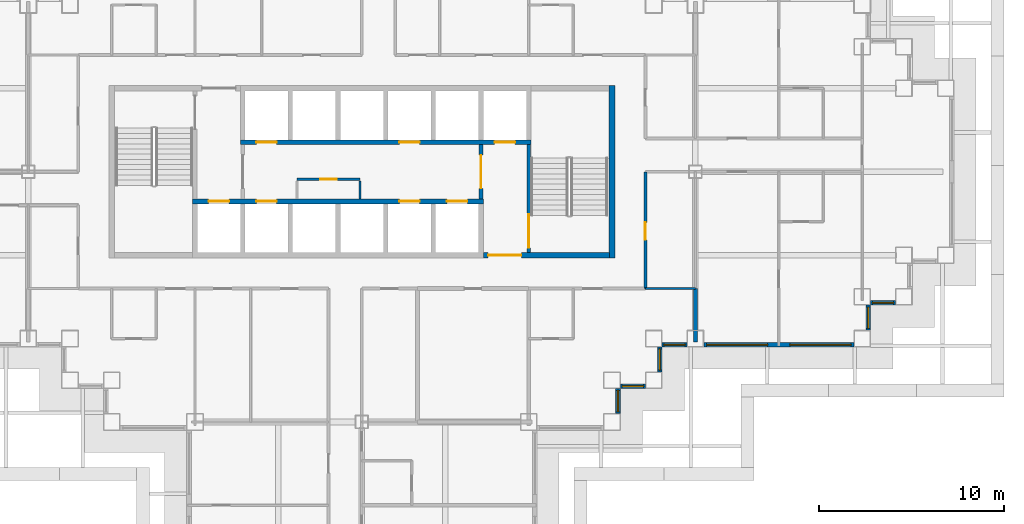
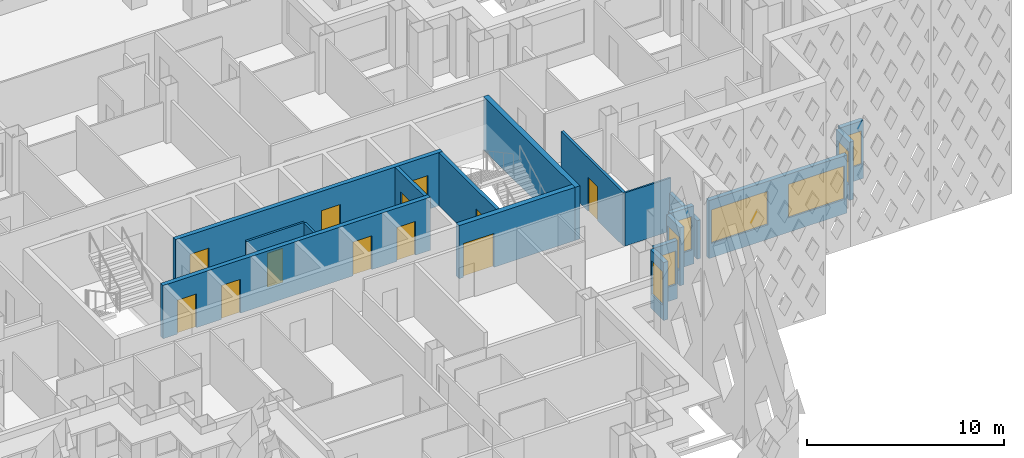
# One storey, part 5 of 21: 18 walls, 12 doors, 8 windows, 20 openings.
"""IFC4 building model written with IfcOpenShell, lengths in metres."""

from ifc_helpers import new_model, si_unit, direction, frame, frame_2d, origin, place, context, subcontext, project, spatial, rectangle, extrude, material, layer, layer_set, type_object, element, fill, save


model = new_model("IFC4")

# Units and contexts
model_context = context("Model", 3, precision=1e-05, world=origin(), true_north=direction((0.0, 1.0)))
body_context = subcontext(model_context, "Body", "Model", "MODEL_VIEW")
ifc_project = project(units=[si_unit("LENGTHUNIT", "METRE"), si_unit("AREAUNIT", "SQUARE_METRE"), si_unit("VOLUMEUNIT", "CUBIC_METRE"), si_unit("PLANEANGLEUNIT", "RADIAN"), si_unit("MASSUNIT", "GRAM", prefix="KILO")], contexts=[model_context])

# Site, building, storey
site_placement = place(None, origin())
site = spatial("IfcSite", under=ifc_project, at=site_placement, CompositionType="ELEMENT")
building_placement = place(site_placement, origin())
building = spatial("IfcBuilding", under=site, at=building_placement, Name="Caravel Reach Hotel and Residences", CompositionType="ELEMENT")
storey_placement = place(building_placement, frame((0.0, 0.0, 100.800048828125)))
storey = spatial("IfcBuildingStorey", under=building, at=storey_placement, Name="L24", CompositionType="ELEMENT", Elevation=100.800048828125)

# Wall, opening, door
ifc_material_1 = material(Name="Concrete C60", Category="concrete")
ifc_layer_1 = layer(ifc_material_1, 0.300048828125)
ifc_layer_set_1 = layer_set([ifc_layer_1], Name="Core wall 300 mm EI 120")
wall_type_1 = type_object("IfcWallType", Name="Core wall 300 mm EI 120", PredefinedType="SHEAR", material=ifc_layer_set_1)
wall_1_placement = place(storey_placement, frame((38.053466796875, 22.5, 0.0), z_axis=(0.0, 0.0, 1.0), x_axis=(1.0, 0.0, 0.0)))
wall_1 = element("IfcWall", 1, at=wall_1_placement, inside=storey, type_object=wall_type_1, Name="L24 core wall S2", PredefinedType="SHEAR", context=body_context, shape_type="SweptSolid", body=[
    extrude(rectangle(XDim=6.796630859375, YDim=0.300048828125, at=frame_2d((3.3984375, 0.0))), origin(), (0.0, 0.0, 1.0), 3.300048828125),
])
opening_1_placement = place(wall_1_placement, frame((0.2607421875, 0.0, 0.0)))
opening_1 = element("IfcOpeningElement", 2, at=opening_1_placement, cuts=wall_1, Name="Opening D24-014", PredefinedType="OPENING", context=body_context, shape_type="SweptSolid", body=[
    extrude(rectangle(XDim=1.800048828125, YDim=2.10009765625, at=frame_2d((0.89990234375, 1.050048828125))), frame((0.0, 0.159912109375, 0.0), z_axis=(0.0, -1.0, 0.0), x_axis=(1.0, 0.0, 0.0)), (0.0, 0.0, 1.0), 0.320068359375),
])
ifc_material_2 = material(Name="Steel fire door leaf", Category="steel")
door_type_1 = type_object("IfcDoorType", Name="Fire lobby door pair 1800 x 2100 EI 90", OperationType="DOUBLE_DOOR_SINGLE_SWING", PredefinedType="DOOR", material=ifc_material_2)
door_1_placement = place(opening_1_placement, origin())
door_1 = element("IfcDoor", 3, at=door_1_placement, inside=storey, type_object=door_type_1, Name="lobby S door pair to corridor", OperationType="DOUBLE_DOOR_SINGLE_SWING", OverallHeight=2.10009765625, OverallWidth=1.800048828125, PredefinedType="DOOR", context=body_context, shape_type="SweptSolid", body=[
    extrude(rectangle(XDim=1.800048828125, YDim=2.10009765625, at=frame_2d((0.89990234375, 1.050048828125))), frame((0.0, 0.02490234375, 0.0), z_axis=(0.0, -1.0, 0.0), x_axis=(1.0, 0.0, 0.0)), (0.0, 0.0, 1.0), 0.050048828125),
])
fill(opening_1, door_1)

# Wall
wall_2_placement = place(storey_placement, frame((45.0, 22.35009765625, 0.0), z_axis=(0.0, 0.0, 1.0), x_axis=(0.0, 1.0, 0.0)))
element("IfcWall", 4, at=wall_2_placement, inside=storey, type_object=wall_type_1, Name="L24 core wall E", PredefinedType="SHEAR", context=body_context, shape_type="SweptSolid", body=[
    extrude(rectangle(XDim=9.2998046875, YDim=0.300048828125, at=frame_2d((4.64990234375, 0.0))), origin(), (0.0, 0.0, 1.0), 3.300048828125),
])

# Wall, opening, door
ifc_material_3 = material(Name="Gypsum board on steel stud, fire-rated", Category="steel")
ifc_layer_2 = layer(ifc_material_3, 0.14990234375)
ifc_layer_set_2 = layer_set([ifc_layer_2], Name="Corridor wall 150 mm EI 60")
wall_type_2 = type_object("IfcWallType", Name="Corridor wall 150 mm EI 60", PredefinedType="PARTITIONING", material=ifc_layer_set_2)
wall_3_placement = place(storey_placement, frame((46.800048828125, 20.699951171875, 0.0), z_axis=(0.0, 0.0, 1.0), x_axis=(0.0, 1.0, 0.0)))
wall_3 = element("IfcWall", 5, at=wall_3_placement, inside=storey, type_object=wall_type_2, Name="L24 wall w040", PredefinedType="PARTITIONING", context=body_context, shape_type="SweptSolid", body=[
    extrude(rectangle(XDim=6.300048828125, YDim=0.14990234375, at=frame_2d((3.14990234375, 0.0))), origin(), (0.0, 0.0, 1.0), 3.300048828125),
])
opening_2_placement = place(wall_3_placement, frame((2.625, 0.0, 0.0)))
opening_2 = element("IfcOpeningElement", 6, at=opening_2_placement, cuts=wall_3, Name="Opening D24-063", PredefinedType="OPENING", context=body_context, shape_type="SweptSolid", body=[
    extrude(rectangle(XDim=0.949951171875, YDim=2.10009765625, at=frame_2d((0.47509765625, 1.050048828125))), frame((0.0, 0.0849609375, 0.0), z_axis=(0.0, -1.0, 0.0), x_axis=(1.0, 0.0, 0.0)), (0.0, 0.0, 1.0), 0.169921875),
])
ifc_material_4 = material(Name="Timber and steel door leaf", Category="steel")
door_type_2 = type_object("IfcDoorType", Name="Accessible WC door 950 x 2100", OperationType="SINGLE_SWING_LEFT", PredefinedType="DOOR", material=ifc_material_4)
door_2_placement = place(opening_2_placement, origin())
door_2 = element("IfcDoor", 7, at=door_2_placement, inside=storey, type_object=door_type_2, Name="door D24-063", OperationType="SINGLE_SWING_LEFT", OverallHeight=2.10009765625, OverallWidth=0.949951171875, PredefinedType="DOOR", context=body_context, shape_type="SweptSolid", body=[
    extrude(rectangle(XDim=0.949951171875, YDim=2.10009765625, at=frame_2d((0.47509765625, 1.050048828125))), frame((0.0, 0.02490234375, 0.0), z_axis=(0.0, -1.0, 0.0), x_axis=(1.0, 0.0, 0.0)), (0.0, 0.0, 1.0), 0.050048828125),
])
fill(opening_2, door_2)

# Wall, opening, window
ifc_material_5 = material(Name="Insulated rainscreen wall, aluminium cladding", Category="aluminium")
ifc_layer_3 = layer(ifc_material_5, 0.25)
ifc_layer_set_3 = layer_set([ifc_layer_3], Name="EW1 Tower rainscreen wall")
wall_type_3 = type_object("IfcWallType", Name="EW1 Tower rainscreen wall", PredefinedType="SOLIDWALL", material=ifc_layer_set_3)
wall_4_placement = place(storey_placement, frame((45.324951171875, 13.949951171875, 0.0), z_axis=(0.0, 0.0, 1.0), x_axis=(0.0, 1.0, 0.0)))
wall_4 = element("IfcWall", 8, at=wall_4_placement, inside=storey, type_object=wall_type_3, Name="External wall L24 E12.1", PredefinedType="SOLIDWALL", context=body_context, shape_type="SweptSolid", body=[
    extrude(rectangle(XDim=1.35009765625, YDim=0.25, at=frame_2d((0.675048828125, 0.0))), origin(), (0.0, 0.0, 1.0), 3.599853515625),
])
opening_3_placement = place(wall_4_placement, frame((0.10009765625, 0.0, 0.89990234375)))
opening_3 = element("IfcOpeningElement", 9, at=opening_3_placement, cuts=wall_4, Name="Opening WN8", PredefinedType="OPENING", context=body_context, shape_type="SweptSolid", body=[
    extrude(rectangle(XDim=1.14990234375, YDim=2.080078125, at=frame_2d((0.574951171875, 1.0400390625))), frame((0.0, 0.135009765625, 0.0), z_axis=(0.0, -1.0, 0.0), x_axis=(1.0, 0.0, 0.0)), (0.0, 0.0, 1.0), 0.27001953125),
])
ifc_material_6 = material(Name="Dark low-e glazing in black aluminium frame", Category="aluminium")
window_type_1 = type_object("IfcWindowType", Name="Hotel suite corner window 1150 x 2080", PartitioningType="SINGLE_PANEL", PredefinedType="WINDOW", material=ifc_material_6)
window_1_placement = place(opening_3_placement, origin())
window_1 = element("IfcWindow", 10, at=window_1_placement, inside=storey, type_object=window_type_1, Name="Window L24 E12.1.1", OverallHeight=2.080078125, OverallWidth=1.14990234375, PartitioningType="SINGLE_PANEL", PredefinedType="WINDOW", context=body_context, shape_type="SweptSolid", body=[
    extrude(rectangle(XDim=1.14990234375, YDim=2.080078125, at=frame_2d((0.574951171875, 1.0400390625))), frame((0.0, 0.030029296875, 0.0), z_axis=(0.0, -1.0, 0.0), x_axis=(1.0, 0.0, 0.0)), (0.0, 0.0, 1.0), 0.06005859375),
])
fill(opening_3, window_1)

wall_5_placement = place(storey_placement, frame((45.449951171875, 15.425048828125, 0.0), z_axis=(0.0, 0.0, 1.0), x_axis=(1.0, 0.0, 0.0)))
wall_5 = element("IfcWall", 11, at=wall_5_placement, inside=storey, type_object=wall_type_3, Name="External wall L24 S13.1", PredefinedType="SOLIDWALL", context=body_context, shape_type="SweptSolid", body=[
    extrude(rectangle(XDim=1.35009765625, YDim=0.25, at=frame_2d((0.675048828125, 0.0))), origin(), (0.0, 0.0, 1.0), 3.599853515625),
])
opening_4_placement = place(wall_5_placement, frame((0.10009765625, 0.0, 0.89990234375)))
opening_4 = element("IfcOpeningElement", 12, at=opening_4_placement, cuts=wall_5, Name="Opening WN8", PredefinedType="OPENING", context=body_context, shape_type="SweptSolid", body=[
    extrude(rectangle(XDim=1.14990234375, YDim=2.080078125, at=frame_2d((0.574951171875, 1.0400390625))), frame((0.0, 0.135009765625, 0.0), z_axis=(0.0, -1.0, 0.0), x_axis=(1.0, 0.0, 0.0)), (0.0, 0.0, 1.0), 0.27001953125),
])
window_2_placement = place(opening_4_placement, origin())
window_2 = element("IfcWindow", 13, at=window_2_placement, inside=storey, type_object=window_type_1, Name="Window L24 S13.1.1", OverallHeight=2.080078125, OverallWidth=1.14990234375, PartitioningType="SINGLE_PANEL", PredefinedType="WINDOW", context=body_context, shape_type="SweptSolid", body=[
    extrude(rectangle(XDim=1.14990234375, YDim=2.080078125, at=frame_2d((0.574951171875, 1.0400390625))), frame((0.0, 0.030029296875, 0.0), z_axis=(0.0, -1.0, 0.0), x_axis=(1.0, 0.0, 0.0)), (0.0, 0.0, 1.0), 0.06005859375),
])
fill(opening_4, window_2)

wall_6_placement = place(storey_placement, frame((47.574951171875, 16.199951171875, 0.0), z_axis=(0.0, 0.0, 1.0), x_axis=(0.0, 1.0, 0.0)))
wall_6 = element("IfcWall", 14, at=wall_6_placement, inside=storey, type_object=wall_type_3, Name="External wall L24 E14.1", PredefinedType="SOLIDWALL", context=body_context, shape_type="SweptSolid", body=[
    extrude(rectangle(XDim=1.35009765625, YDim=0.25, at=frame_2d((0.675048828125, 0.0))), origin(), (0.0, 0.0, 1.0), 3.599853515625),
])
opening_5_placement = place(wall_6_placement, frame((0.10009765625, 0.0, 0.89990234375)))
opening_5 = element("IfcOpeningElement", 15, at=opening_5_placement, cuts=wall_6, Name="Opening WN8", PredefinedType="OPENING", context=body_context, shape_type="SweptSolid", body=[
    extrude(rectangle(XDim=1.14990234375, YDim=2.080078125, at=frame_2d((0.574951171875, 1.0400390625))), frame((0.0, 0.135009765625, 0.0), z_axis=(0.0, -1.0, 0.0), x_axis=(1.0, 0.0, 0.0)), (0.0, 0.0, 1.0), 0.27001953125),
])
window_3_placement = place(opening_5_placement, origin())
window_3 = element("IfcWindow", 16, at=window_3_placement, inside=storey, type_object=window_type_1, Name="Window L24 E14.1.1", OverallHeight=2.080078125, OverallWidth=1.14990234375, PartitioningType="SINGLE_PANEL", PredefinedType="WINDOW", context=body_context, shape_type="SweptSolid", body=[
    extrude(rectangle(XDim=1.14990234375, YDim=2.080078125, at=frame_2d((0.574951171875, 1.0400390625))), frame((0.0, 0.030029296875, 0.0), z_axis=(0.0, -1.0, 0.0), x_axis=(1.0, 0.0, 0.0)), (0.0, 0.0, 1.0), 0.06005859375),
])
fill(opening_5, window_3)

wall_7_placement = place(storey_placement, frame((47.699951171875, 17.675048828125, 0.0), z_axis=(0.0, 0.0, 1.0), x_axis=(1.0, 0.0, 0.0)))
wall_7 = element("IfcWall", 17, at=wall_7_placement, inside=storey, type_object=wall_type_3, Name="External wall L24 S15.1", PredefinedType="SOLIDWALL", context=body_context, shape_type="SweptSolid", body=[
    extrude(rectangle(XDim=1.35009765625, YDim=0.25, at=frame_2d((0.675048828125, 0.0))), origin(), (0.0, 0.0, 1.0), 3.599853515625),
])
opening_6_placement = place(wall_7_placement, frame((0.10009765625, 0.0, 0.89990234375)))
opening_6 = element("IfcOpeningElement", 18, at=opening_6_placement, cuts=wall_7, Name="Opening WN8", PredefinedType="OPENING", context=body_context, shape_type="SweptSolid", body=[
    extrude(rectangle(XDim=1.14990234375, YDim=2.080078125, at=frame_2d((0.574951171875, 1.0400390625))), frame((0.0, 0.135009765625, 0.0), z_axis=(0.0, -1.0, 0.0), x_axis=(1.0, 0.0, 0.0)), (0.0, 0.0, 1.0), 0.27001953125),
])
window_4_placement = place(opening_6_placement, origin())
window_4 = element("IfcWindow", 19, at=window_4_placement, inside=storey, type_object=window_type_1, Name="Window L24 S15.1.1", OverallHeight=2.080078125, OverallWidth=1.14990234375, PartitioningType="SINGLE_PANEL", PredefinedType="WINDOW", context=body_context, shape_type="SweptSolid", body=[
    extrude(rectangle(XDim=1.14990234375, YDim=2.080078125, at=frame_2d((0.574951171875, 1.0400390625))), frame((0.0, 0.030029296875, 0.0), z_axis=(0.0, -1.0, 0.0), x_axis=(1.0, 0.0, 0.0)), (0.0, 0.0, 1.0), 0.06005859375),
])
fill(opening_6, window_4)

# Wall, openings, windows
wall_8_placement = place(storey_placement, frame((49.949951171875, 17.675048828125, 0.0), z_axis=(0.0, 0.0, 1.0), x_axis=(1.0, 0.0, 0.0)))
wall_8 = element("IfcWall", 20, at=wall_8_placement, inside=storey, type_object=wall_type_3, Name="External wall L24 S15.2", PredefinedType="SOLIDWALL", context=body_context, shape_type="SweptSolid", body=[
    extrude(rectangle(XDim=8.10009765625, YDim=0.25, at=frame_2d((4.050048828125, 0.0))), origin(), (0.0, 0.0, 1.0), 3.599853515625),
])
opening_7_placement = place(wall_8_placement, frame((0.14990234375, 0.0, 0.89990234375)))
opening_7 = element("IfcOpeningElement", 21, at=opening_7_placement, cuts=wall_8, Name="Opening WN4", PredefinedType="OPENING", context=body_context, shape_type="SweptSolid", body=[
    extrude(rectangle(XDim=3.300048828125, YDim=2.080078125, at=frame_2d((1.64990234375, 1.0400390625))), frame((0.0, 0.135009765625, 0.0), z_axis=(0.0, -1.0, 0.0), x_axis=(1.0, 0.0, 0.0)), (0.0, 0.0, 1.0), 0.27001953125),
])
opening_8_placement = place(wall_8_placement, frame((4.64990234375, 0.0, 0.89990234375)))
opening_8 = element("IfcOpeningElement", 22, at=opening_8_placement, cuts=wall_8, Name="Opening WN4", PredefinedType="OPENING", context=body_context, shape_type="SweptSolid", body=[
    extrude(rectangle(XDim=3.300048828125, YDim=2.080078125, at=frame_2d((1.64990234375, 1.0400390625))), frame((0.0, 0.135009765625, 0.0), z_axis=(0.0, -1.0, 0.0), x_axis=(1.0, 0.0, 0.0)), (0.0, 0.0, 1.0), 0.27001953125),
])
ifc_material_7 = material(Name="Dark low-e glazing in black aluminium frame", Category="aluminium")
window_type_2 = type_object("IfcWindowType", Name="Hotel guest room window 3300 x 2080", PartitioningType="SINGLE_PANEL", PredefinedType="WINDOW", material=ifc_material_7)
window_5_placement = place(opening_7_placement, origin())
window_5 = element("IfcWindow", 23, at=window_5_placement, inside=storey, type_object=window_type_2, Name="Window L24 S15.2.1", OverallHeight=2.080078125, OverallWidth=3.300048828125, PartitioningType="SINGLE_PANEL", PredefinedType="WINDOW", context=body_context, shape_type="SweptSolid", body=[
    extrude(rectangle(XDim=3.300048828125, YDim=2.080078125, at=frame_2d((1.64990234375, 1.0400390625))), frame((0.0, 0.030029296875, 0.0), z_axis=(0.0, -1.0, 0.0), x_axis=(1.0, 0.0, 0.0)), (0.0, 0.0, 1.0), 0.06005859375),
])
fill(opening_7, window_5)
window_6_placement = place(opening_8_placement, origin())
window_6 = element("IfcWindow", 24, at=window_6_placement, inside=storey, type_object=window_type_2, Name="Window L24 S15.2.2", OverallHeight=2.080078125, OverallWidth=3.300048828125, PartitioningType="SINGLE_PANEL", PredefinedType="WINDOW", context=body_context, shape_type="SweptSolid", body=[
    extrude(rectangle(XDim=3.300048828125, YDim=2.080078125, at=frame_2d((1.64990234375, 1.0400390625))), frame((0.0, 0.030029296875, 0.0), z_axis=(0.0, -1.0, 0.0), x_axis=(1.0, 0.0, 0.0)), (0.0, 0.0, 1.0), 0.06005859375),
])
fill(opening_8, window_6)

# Wall, opening, window
wall_9_placement = place(storey_placement, frame((58.824951171875, 18.449951171875, 0.0), z_axis=(0.0, 0.0, 1.0), x_axis=(0.0, 1.0, 0.0)))
wall_9 = element("IfcWall", 25, at=wall_9_placement, inside=storey, type_object=wall_type_3, Name="External wall L24 E16.1", PredefinedType="SOLIDWALL", context=body_context, shape_type="SweptSolid", body=[
    extrude(rectangle(XDim=1.35009765625, YDim=0.25, at=frame_2d((0.675048828125, 0.0))), origin(), (0.0, 0.0, 1.0), 3.599853515625),
])
opening_9_placement = place(wall_9_placement, frame((0.10009765625, 0.0, 0.89990234375)))
opening_9 = element("IfcOpeningElement", 26, at=opening_9_placement, cuts=wall_9, Name="Opening WN8", PredefinedType="OPENING", context=body_context, shape_type="SweptSolid", body=[
    extrude(rectangle(XDim=1.14990234375, YDim=2.080078125, at=frame_2d((0.574951171875, 1.0400390625))), frame((0.0, 0.135009765625, 0.0), z_axis=(0.0, -1.0, 0.0), x_axis=(1.0, 0.0, 0.0)), (0.0, 0.0, 1.0), 0.27001953125),
])
window_7_placement = place(opening_9_placement, origin())
window_7 = element("IfcWindow", 27, at=window_7_placement, inside=storey, type_object=window_type_1, Name="Window L24 E16.1.1", OverallHeight=2.080078125, OverallWidth=1.14990234375, PartitioningType="SINGLE_PANEL", PredefinedType="WINDOW", context=body_context, shape_type="SweptSolid", body=[
    extrude(rectangle(XDim=1.14990234375, YDim=2.080078125, at=frame_2d((0.574951171875, 1.0400390625))), frame((0.0, 0.030029296875, 0.0), z_axis=(0.0, -1.0, 0.0), x_axis=(1.0, 0.0, 0.0)), (0.0, 0.0, 1.0), 0.06005859375),
])
fill(opening_9, window_7)

wall_10_placement = place(storey_placement, frame((58.949951171875, 19.925048828125, 0.0), z_axis=(0.0, 0.0, 1.0), x_axis=(1.0, 0.0, 0.0)))
wall_10 = element("IfcWall", 28, at=wall_10_placement, inside=storey, type_object=wall_type_3, Name="External wall L24 S17.1", PredefinedType="SOLIDWALL", context=body_context, shape_type="SweptSolid", body=[
    extrude(rectangle(XDim=1.35009765625, YDim=0.25, at=frame_2d((0.675048828125, 0.0))), origin(), (0.0, 0.0, 1.0), 3.599853515625),
])
opening_10_placement = place(wall_10_placement, frame((0.10009765625, 0.0, 0.89990234375)))
opening_10 = element("IfcOpeningElement", 29, at=opening_10_placement, cuts=wall_10, Name="Opening WN8", PredefinedType="OPENING", context=body_context, shape_type="SweptSolid", body=[
    extrude(rectangle(XDim=1.14990234375, YDim=2.080078125, at=frame_2d((0.574951171875, 1.0400390625))), frame((0.0, 0.135009765625, 0.0), z_axis=(0.0, -1.0, 0.0), x_axis=(1.0, 0.0, 0.0)), (0.0, 0.0, 1.0), 0.27001953125),
])
window_8_placement = place(opening_10_placement, origin())
window_8 = element("IfcWindow", 30, at=window_8_placement, inside=storey, type_object=window_type_1, Name="Window L24 S17.1.1", OverallHeight=2.080078125, OverallWidth=1.14990234375, PartitioningType="SINGLE_PANEL", PredefinedType="WINDOW", context=body_context, shape_type="SweptSolid", body=[
    extrude(rectangle(XDim=1.14990234375, YDim=2.080078125, at=frame_2d((0.574951171875, 1.0400390625))), frame((0.0, 0.030029296875, 0.0), z_axis=(0.0, -1.0, 0.0), x_axis=(1.0, 0.0, 0.0)), (0.0, 0.0, 1.0), 0.06005859375),
])
fill(opening_10, window_8)

# Wall, opening, door
ifc_material_8 = material(Name="Autoclaved aerated block wall")
ifc_layer_4 = layer(ifc_material_8, 0.199951171875)
ifc_layer_set_4 = layer_set([ifc_layer_4], Name="Fire lobby wall 200 mm EI 120")
wall_type_4 = type_object("IfcWallType", Name="Fire lobby wall 200 mm EI 120", PredefinedType="PARTITIONING", material=ifc_layer_set_4)
wall_11_placement = place(storey_placement, frame((37.928466796875, 25.52490234375, 0.0), z_axis=(0.0, 0.0, 1.0), x_axis=(0.0, 1.0, 0.0)))
wall_11 = element("IfcWall", 31, at=wall_11_placement, inside=storey, type_object=wall_type_4, Name="L24 lobby E wall", PredefinedType="PARTITIONING", context=body_context, shape_type="SweptSolid", body=[
    extrude(rectangle(XDim=2.9501953125, YDim=0.199951171875, at=frame_2d((1.47509765625, 0.0))), origin(), (0.0, 0.0, 1.0), 3.300048828125),
])
opening_11_placement = place(wall_11_placement, frame((0.574951171875, 0.0, 0.0)))
opening_11 = element("IfcOpeningElement", 32, at=opening_11_placement, cuts=wall_11, Name="Opening D24-012", PredefinedType="OPENING", context=body_context, shape_type="SweptSolid", body=[
    extrude(rectangle(XDim=1.800048828125, YDim=2.10009765625, at=frame_2d((0.89990234375, 1.050048828125))), frame((0.0, 0.10986328125, 0.0), z_axis=(0.0, -1.0, 0.0), x_axis=(1.0, 0.0, 0.0)), (0.0, 0.0, 1.0), 0.219970703125),
])
door_3_placement = place(opening_11_placement, origin())
door_3 = element("IfcDoor", 33, at=door_3_placement, inside=storey, type_object=door_type_1, Name="lobby E door pair", OperationType="DOUBLE_DOOR_SINGLE_SWING", OverallHeight=2.10009765625, OverallWidth=1.800048828125, PredefinedType="DOOR", context=body_context, shape_type="SweptSolid", body=[
    extrude(rectangle(XDim=1.800048828125, YDim=2.10009765625, at=frame_2d((0.89990234375, 1.050048828125))), frame((0.0, 0.02490234375, 0.0), z_axis=(0.0, -1.0, 0.0), x_axis=(1.0, 0.0, 0.0)), (0.0, 0.0, 1.0), 0.050048828125),
])
fill(opening_11, door_3)

# Walls
ifc_material_9 = material(Name="Gypsum board on steel stud", Category="steel")
ifc_layer_5 = layer(ifc_material_9, 0.10009765625)
ifc_layer_set_5 = layer_set([ifc_layer_5], Name="Partition 100 mm")
wall_type_5 = type_object("IfcWallType", Name="Partition 100 mm", PredefinedType="PARTITIONING", material=ifc_layer_set_5)
wall_12_placement = place(storey_placement, frame((46.800048828125, 20.699951171875, 0.0), z_axis=(0.0, 0.0, 1.0), x_axis=(1.0, 0.0, 0.0)))
element("IfcWall", 34, at=wall_12_placement, inside=storey, type_object=wall_type_5, Name="L24 wall w046", PredefinedType="PARTITIONING", context=body_context, shape_type="SweptSolid", body=[
    extrude(rectangle(XDim=2.699951171875, YDim=0.10009765625, at=frame_2d((1.35009765625, 0.0))), origin(), (0.0, 0.0, 1.0), 3.300048828125),
])
ifc_material_10 = material(Name="Autoclaved aerated block wall")
ifc_layer_6 = layer(ifc_material_10, 0.199951171875)
ifc_layer_set_6 = layer_set([ifc_layer_6], Name="Party wall 200 mm EI 60")
wall_type_6 = type_object("IfcWallType", Name="Party wall 200 mm EI 60", PredefinedType="PARTITIONING", material=ifc_layer_set_6)
wall_13_placement = place(storey_placement, frame((49.5, 17.81005859375, 0.0), z_axis=(0.0, 0.0, 1.0), x_axis=(0.0, 1.0, 0.0)))
element("IfcWall", 35, at=wall_13_placement, inside=storey, type_object=wall_type_6, Name="L24 wall w079", PredefinedType="PARTITIONING", context=body_context, shape_type="SweptSolid", body=[
    extrude(rectangle(XDim=2.889892578125, YDim=0.199951171875, at=frame_2d((1.44482421875, 0.0))), origin(), (0.0, 0.0, 1.0), 2.3798828125),
])

# Wall, opening, door
ifc_material_11 = material(Name="Autoclaved aerated block wall")
ifc_layer_7 = layer(ifc_material_11, 0.125)
ifc_layer_set_7 = layer_set([ifc_layer_7], Name="Riser wall 125 mm EI 60")
wall_type_7 = type_object("IfcWallType", Name="Riser wall 125 mm EI 60", PredefinedType="PARTITIONING", material=ifc_layer_set_7)
wall_14_placement = place(storey_placement, frame((28.0, 26.60009765625, 0.0), z_axis=(0.0, 0.0, 1.0), x_axis=(1.0, 0.0, 0.0)))
wall_14 = element("IfcWall", 36, at=wall_14_placement, inside=storey, type_object=wall_type_7, Name="L24 service room wall S1", PredefinedType="PARTITIONING", context=body_context, shape_type="SweptSolid", body=[
    extrude(rectangle(XDim=3.39990234375, YDim=0.125, at=frame_2d((1.699951171875, 0.0))), origin(), (0.0, 0.0, 1.0), 3.300048828125),
])
opening_12_placement = place(wall_14_placement, frame((1.25, 0.0, 0.0)))
opening_12 = element("IfcOpeningElement", 37, at=opening_12_placement, cuts=wall_14, Name="Opening D24-008", PredefinedType="OPENING", context=body_context, shape_type="SweptSolid", body=[
    extrude(rectangle(XDim=0.89990234375, YDim=2.10009765625, at=frame_2d((0.449951171875, 1.050048828125))), frame((0.0, 0.072509765625, 0.0), z_axis=(0.0, -1.0, 0.0), x_axis=(1.0, 0.0, 0.0)), (0.0, 0.0, 1.0), 0.14501953125),
])
ifc_material_12 = material(Name="Steel fire door leaf", Category="steel")
door_type_3 = type_object("IfcDoorType", Name="Riser door 900 x 2100 EI 60", OperationType="SINGLE_SWING_LEFT", PredefinedType="DOOR", material=ifc_material_12)
door_4_placement = place(opening_12_placement, origin())
door_4 = element("IfcDoor", 38, at=door_4_placement, inside=storey, type_object=door_type_3, Name="Linen store door", OperationType="SINGLE_SWING_LEFT", OverallHeight=2.10009765625, OverallWidth=0.89990234375, PredefinedType="DOOR", context=body_context, shape_type="SweptSolid", body=[
    extrude(rectangle(XDim=0.89990234375, YDim=2.10009765625, at=frame_2d((0.449951171875, 1.050048828125))), frame((0.0, 0.02490234375, 0.0), z_axis=(0.0, -1.0, 0.0), x_axis=(1.0, 0.0, 0.0)), (0.0, 0.0, 1.0), 0.050048828125),
])
fill(opening_12, door_4)

# Wall
wall_15_placement = place(storey_placement, frame((31.39990234375, 25.52490234375, 0.0), z_axis=(0.0, 0.0, 1.0), x_axis=(0.0, 1.0, 0.0)))
element("IfcWall", 39, at=wall_15_placement, inside=storey, type_object=wall_type_7, Name="L24 service room partition S1", PredefinedType="PARTITIONING", context=body_context, shape_type="SweptSolid", body=[
    extrude(rectangle(XDim=0.97509765625, YDim=0.125, at=frame_2d((0.487548828125, 0.0))), origin(), (0.0, 0.0, 1.0), 3.300048828125),
])

# Wall, openings, doors
ifc_material_13 = material(Name="Concrete C60", Category="concrete")
ifc_layer_8 = layer(ifc_material_13, 0.25)
ifc_layer_set_8 = layer_set([ifc_layer_8], Name="Shaft wall 250 mm EI 120")
wall_type_8 = type_object("IfcWallType", Name="Shaft wall 250 mm EI 120", PredefinedType="SHEAR", material=ifc_layer_set_8)
wall_16_placement = place(storey_placement, frame((22.375, 25.39990234375, 0.0), z_axis=(0.0, 0.0, 1.0), x_axis=(1.0, 0.0, 0.0)))
wall_16 = element("IfcWall", 40, at=wall_16_placement, inside=storey, type_object=wall_type_8, Name="L24 lobby wall S1", PredefinedType="SHEAR", context=body_context, shape_type="SweptSolid", body=[
    extrude(rectangle(XDim=15.678466796875, YDim=0.25, at=frame_2d((7.83935546875, 0.0))), origin(), (0.0, 0.0, 1.0), 3.300048828125),
])
opening_13_placement = place(wall_16_placement, frame((3.43212890625, 0.0, 0.0)))
opening_13 = element("IfcOpeningElement", 41, at=opening_13_placement, cuts=wall_16, Name="Opening D24-001", PredefinedType="OPENING", context=body_context, shape_type="SweptSolid", body=[
    extrude(rectangle(XDim=1.10009765625, YDim=2.10009765625, at=frame_2d((0.550048828125, 1.050048828125))), frame((0.0, 0.135009765625, 0.0), z_axis=(0.0, -1.0, 0.0), x_axis=(1.0, 0.0, 0.0)), (0.0, 0.0, 1.0), 0.27001953125),
])
opening_14_placement = place(wall_16_placement, frame((11.146484375, 0.0, 0.0)))
opening_14 = element("IfcOpeningElement", 42, at=opening_14_placement, cuts=wall_16, Name="Opening D24-002", PredefinedType="OPENING", context=body_context, shape_type="SweptSolid", body=[
    extrude(rectangle(XDim=1.10009765625, YDim=2.10009765625, at=frame_2d((0.550048828125, 1.050048828125))), frame((0.0, 0.135009765625, 0.0), z_axis=(0.0, -1.0, 0.0), x_axis=(1.0, 0.0, 0.0)), (0.0, 0.0, 1.0), 0.27001953125),
])
opening_15_placement = place(wall_16_placement, frame((13.718017578125, 0.0, 0.0)))
opening_15 = element("IfcOpeningElement", 43, at=opening_15_placement, cuts=wall_16, Name="Opening D24-003", PredefinedType="OPENING", context=body_context, shape_type="SweptSolid", body=[
    extrude(rectangle(XDim=1.10009765625, YDim=2.10009765625, at=frame_2d((0.550048828125, 1.050048828125))), frame((0.0, 0.135009765625, 0.0), z_axis=(0.0, -1.0, 0.0), x_axis=(1.0, 0.0, 0.0)), (0.0, 0.0, 1.0), 0.27001953125),
])
opening_16_placement = place(wall_16_placement, frame((0.860595703125, 0.0, 0.0)))
opening_16 = element("IfcOpeningElement", 44, at=opening_16_placement, cuts=wall_16, Name="Opening D24-006", PredefinedType="OPENING", context=body_context, shape_type="SweptSolid", body=[
    extrude(rectangle(XDim=1.10009765625, YDim=2.10009765625, at=frame_2d((0.550048828125, 1.050048828125))), frame((0.0, 0.135009765625, 0.0), z_axis=(0.0, -1.0, 0.0), x_axis=(1.0, 0.0, 0.0)), (0.0, 0.0, 1.0), 0.27001953125),
])
ifc_material_14 = material(Name="Stainless steel landing door", Category="steel")
door_type_4 = type_object("IfcDoorType", Name="Landing door LD 1100 x 2100 sliding", OperationType="DOUBLE_DOOR_SLIDING", PredefinedType="DOOR", material=ifc_material_14)
door_5_placement = place(opening_13_placement, origin())
door_5 = element("IfcDoor", 45, at=door_5_placement, inside=storey, type_object=door_type_4, Name="LP1 landing door", OperationType="DOUBLE_DOOR_SLIDING", OverallHeight=2.10009765625, OverallWidth=1.10009765625, PredefinedType="DOOR", context=body_context, shape_type="SweptSolid", body=[
    extrude(rectangle(XDim=1.10009765625, YDim=2.10009765625, at=frame_2d((0.550048828125, 1.050048828125))), frame((0.0, 0.02490234375, 0.0), z_axis=(0.0, -1.0, 0.0), x_axis=(1.0, 0.0, 0.0)), (0.0, 0.0, 1.0), 0.050048828125),
])
fill(opening_13, door_5)
door_6_placement = place(opening_14_placement, origin())
door_6 = element("IfcDoor", 46, at=door_6_placement, inside=storey, type_object=door_type_4, Name="LP2 landing door", OperationType="DOUBLE_DOOR_SLIDING", OverallHeight=2.10009765625, OverallWidth=1.10009765625, PredefinedType="DOOR", context=body_context, shape_type="SweptSolid", body=[
    extrude(rectangle(XDim=1.10009765625, YDim=2.10009765625, at=frame_2d((0.550048828125, 1.050048828125))), frame((0.0, 0.02490234375, 0.0), z_axis=(0.0, -1.0, 0.0), x_axis=(1.0, 0.0, 0.0)), (0.0, 0.0, 1.0), 0.050048828125),
])
fill(opening_14, door_6)
door_7_placement = place(opening_15_placement, origin())
door_7 = element("IfcDoor", 47, at=door_7_placement, inside=storey, type_object=door_type_4, Name="LP3 landing door", OperationType="DOUBLE_DOOR_SLIDING", OverallHeight=2.10009765625, OverallWidth=1.10009765625, PredefinedType="DOOR", context=body_context, shape_type="SweptSolid", body=[
    extrude(rectangle(XDim=1.10009765625, YDim=2.10009765625, at=frame_2d((0.550048828125, 1.050048828125))), frame((0.0, 0.02490234375, 0.0), z_axis=(0.0, -1.0, 0.0), x_axis=(1.0, 0.0, 0.0)), (0.0, 0.0, 1.0), 0.050048828125),
])
fill(opening_15, door_7)
door_8_placement = place(opening_16_placement, origin())
door_8 = element("IfcDoor", 48, at=door_8_placement, inside=storey, type_object=door_type_4, Name="FL1 landing door", OperationType="DOUBLE_DOOR_SLIDING", OverallHeight=2.10009765625, OverallWidth=1.10009765625, PredefinedType="DOOR", context=body_context, shape_type="SweptSolid", body=[
    extrude(rectangle(XDim=1.10009765625, YDim=2.10009765625, at=frame_2d((0.550048828125, 1.050048828125))), frame((0.0, 0.02490234375, 0.0), z_axis=(0.0, -1.0, 0.0), x_axis=(1.0, 0.0, 0.0)), (0.0, 0.0, 1.0), 0.050048828125),
])
fill(opening_16, door_8)

wall_17_placement = place(storey_placement, frame((24.946533203125, 28.60009765625, 0.0), z_axis=(0.0, 0.0, 1.0), x_axis=(1.0, 0.0, 0.0)))
wall_17 = element("IfcWall", 49, at=wall_17_placement, inside=storey, type_object=wall_type_8, Name="L24 lobby wall N1", PredefinedType="SHEAR", context=body_context, shape_type="SweptSolid", body=[
    extrude(rectangle(XDim=15.678466796875, YDim=0.25, at=frame_2d((7.83935546875, 0.0))), origin(), (0.0, 0.0, 1.0), 3.300048828125),
])
opening_17_placement = place(wall_17_placement, frame((0.860595703125, 0.0, 0.0)))
opening_17 = element("IfcOpeningElement", 50, at=opening_17_placement, cuts=wall_17, Name="Opening D24-004", PredefinedType="OPENING", context=body_context, shape_type="SweptSolid", body=[
    extrude(rectangle(XDim=1.10009765625, YDim=2.10009765625, at=frame_2d((0.550048828125, 1.050048828125))), frame((0.0, 0.135009765625, 0.0), z_axis=(0.0, -1.0, 0.0), x_axis=(1.0, 0.0, 0.0)), (0.0, 0.0, 1.0), 0.27001953125),
])
opening_18_placement = place(wall_17_placement, frame((8.574951171875, 0.0, 0.0)))
opening_18 = element("IfcOpeningElement", 51, at=opening_18_placement, cuts=wall_17, Name="Opening D24-005", PredefinedType="OPENING", context=body_context, shape_type="SweptSolid", body=[
    extrude(rectangle(XDim=1.10009765625, YDim=2.10009765625, at=frame_2d((0.550048828125, 1.050048828125))), frame((0.0, 0.135009765625, 0.0), z_axis=(0.0, -1.0, 0.0), x_axis=(1.0, 0.0, 0.0)), (0.0, 0.0, 1.0), 0.27001953125),
])
opening_19_placement = place(wall_17_placement, frame((13.718017578125, 0.0, 0.0)))
opening_19 = element("IfcOpeningElement", 52, at=opening_19_placement, cuts=wall_17, Name="Opening D24-007", PredefinedType="OPENING", context=body_context, shape_type="SweptSolid", body=[
    extrude(rectangle(XDim=1.10009765625, YDim=2.10009765625, at=frame_2d((0.550048828125, 1.050048828125))), frame((0.0, 0.135009765625, 0.0), z_axis=(0.0, -1.0, 0.0), x_axis=(1.0, 0.0, 0.0)), (0.0, 0.0, 1.0), 0.27001953125),
])
door_9_placement = place(opening_17_placement, origin())
door_9 = element("IfcDoor", 53, at=door_9_placement, inside=storey, type_object=door_type_4, Name="LP4 landing door", OperationType="DOUBLE_DOOR_SLIDING", OverallHeight=2.10009765625, OverallWidth=1.10009765625, PredefinedType="DOOR", context=body_context, shape_type="SweptSolid", body=[
    extrude(rectangle(XDim=1.10009765625, YDim=2.10009765625, at=frame_2d((0.550048828125, 1.050048828125))), frame((0.0, 0.02490234375, 0.0), z_axis=(0.0, -1.0, 0.0), x_axis=(1.0, 0.0, 0.0)), (0.0, 0.0, 1.0), 0.050048828125),
])
fill(opening_17, door_9)
door_10_placement = place(opening_18_placement, origin())
door_10 = element("IfcDoor", 54, at=door_10_placement, inside=storey, type_object=door_type_4, Name="LP5 landing door", OperationType="DOUBLE_DOOR_SLIDING", OverallHeight=2.10009765625, OverallWidth=1.10009765625, PredefinedType="DOOR", context=body_context, shape_type="SweptSolid", body=[
    extrude(rectangle(XDim=1.10009765625, YDim=2.10009765625, at=frame_2d((0.550048828125, 1.050048828125))), frame((0.0, 0.02490234375, 0.0), z_axis=(0.0, -1.0, 0.0), x_axis=(1.0, 0.0, 0.0)), (0.0, 0.0, 1.0), 0.050048828125),
])
fill(opening_18, door_10)
door_11_placement = place(opening_19_placement, origin())
door_11 = element("IfcDoor", 55, at=door_11_placement, inside=storey, type_object=door_type_4, Name="FL2 landing door", OperationType="DOUBLE_DOOR_SLIDING", OverallHeight=2.10009765625, OverallWidth=1.10009765625, PredefinedType="DOOR", context=body_context, shape_type="SweptSolid", body=[
    extrude(rectangle(XDim=1.10009765625, YDim=2.10009765625, at=frame_2d((0.550048828125, 1.050048828125))), frame((0.0, 0.02490234375, 0.0), z_axis=(0.0, -1.0, 0.0), x_axis=(1.0, 0.0, 0.0)), (0.0, 0.0, 1.0), 0.050048828125),
])
fill(opening_19, door_11)

# Wall, opening, door
ifc_material_15 = material(Name="Concrete C60", Category="concrete")
ifc_layer_9 = layer(ifc_material_15, 0.199951171875)
ifc_layer_set_9 = layer_set([ifc_layer_9], Name="Stair enclosure wall 200 mm EI 120")
wall_type_9 = type_object("IfcWallType", Name="Stair enclosure wall 200 mm EI 120", PredefinedType="SHEAR", material=ifc_layer_set_9)
wall_18_placement = place(storey_placement, frame((40.5, 22.64990234375, 0.0), z_axis=(0.0, 0.0, 1.0), x_axis=(0.0, 1.0, 0.0)))
wall_18 = element("IfcWall", 56, at=wall_18_placement, inside=storey, type_object=wall_type_9, Name="L24 stair B wall", PredefinedType="SHEAR", context=body_context, shape_type="SweptSolid", body=[
    extrude(rectangle(XDim=5.8251953125, YDim=0.199951171875, at=frame_2d((2.91259765625, 0.0))), origin(), (0.0, 0.0, 1.0), 3.300048828125),
])
opening_20_placement = place(wall_18_placement, frame((0.25, 0.0, 0.0)))
opening_20 = element("IfcOpeningElement", 57, at=opening_20_placement, cuts=wall_18, Name="Opening D24-010", PredefinedType="OPENING", context=body_context, shape_type="SweptSolid", body=[
    extrude(rectangle(XDim=1.800048828125, YDim=2.10009765625, at=frame_2d((0.89990234375, 1.050048828125))), frame((0.0, 0.10986328125, 0.0), z_axis=(0.0, -1.0, 0.0), x_axis=(1.0, 0.0, 0.0)), (0.0, 0.0, 1.0), 0.219970703125),
])
ifc_material_16 = material(Name="Steel fire door leaf", Category="steel")
door_type_5 = type_object("IfcDoorType", Name="Stair door pair 1800 x 2100 EI 90", OperationType="DOUBLE_DOOR_SINGLE_SWING", PredefinedType="DOOR", material=ifc_material_16)
door_12_placement = place(opening_20_placement, origin())
door_12 = element("IfcDoor", 58, at=door_12_placement, inside=storey, type_object=door_type_5, Name="stair B door pair", OperationType="DOUBLE_DOOR_SINGLE_SWING", OverallHeight=2.10009765625, OverallWidth=1.800048828125, PredefinedType="DOOR", context=body_context, shape_type="SweptSolid", body=[
    extrude(rectangle(XDim=1.800048828125, YDim=2.10009765625, at=frame_2d((0.89990234375, 1.050048828125))), frame((0.0, 0.02490234375, 0.0), z_axis=(0.0, -1.0, 0.0), x_axis=(1.0, 0.0, 0.0)), (0.0, 0.0, 1.0), 0.050048828125),
])
fill(opening_20, door_12)

save(model, "model.ifc")
